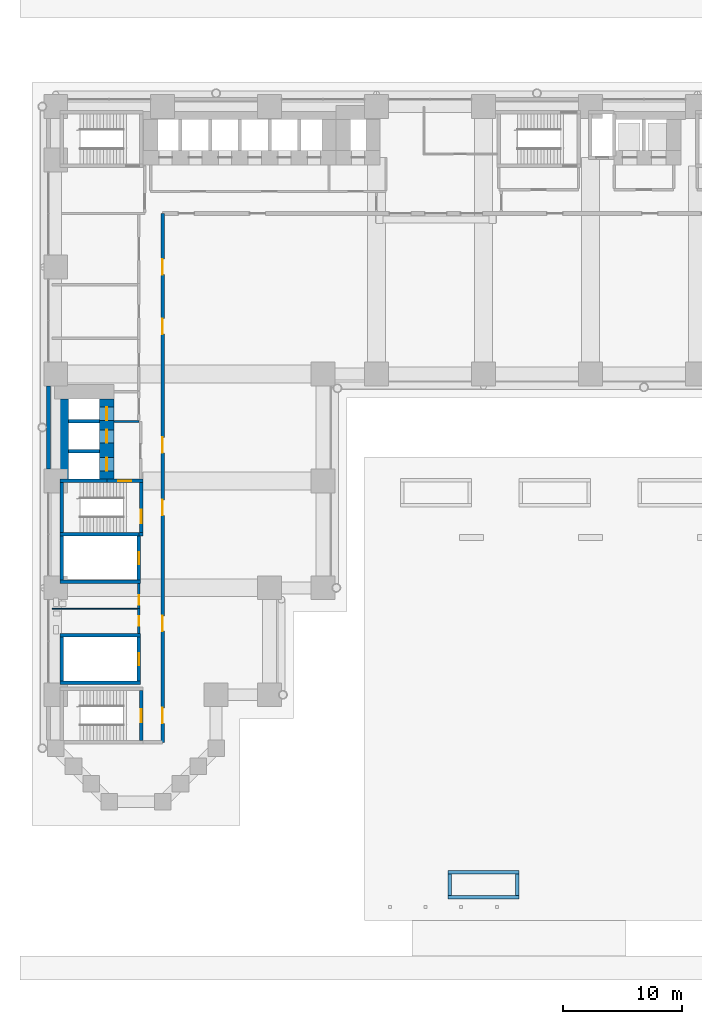
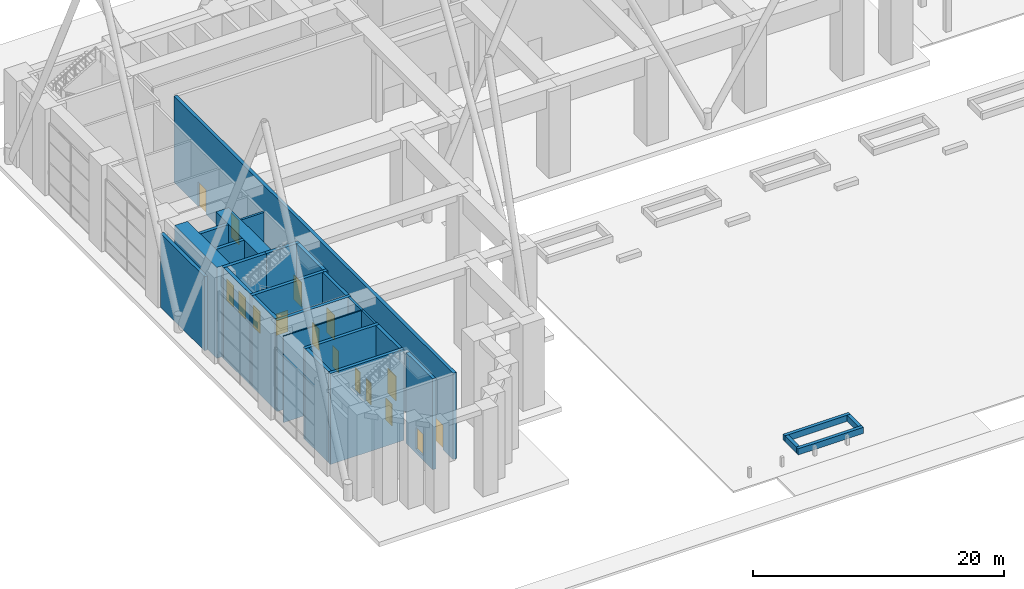
# One storey, part 27 of 44: 28 walls, 16 doors, 16 openings.
"""IFC4 building model written with IfcOpenShell, lengths in metres."""

from ifc_helpers import new_model, si_unit, direction, frame, frame_2d, origin, place, context, subcontext, project, spatial, rectangle, extrude, material, layer, layer_set, type_object, element, fill, save


model = new_model("IFC4")

# Units and contexts
model_context = context("Model", 3, precision=1e-05, world=origin(), true_north=direction((0.0, 1.0)))
body_context = subcontext(model_context, "Body", "Model", "MODEL_VIEW")
ifc_project = project(units=[si_unit("LENGTHUNIT", "METRE"), si_unit("AREAUNIT", "SQUARE_METRE"), si_unit("VOLUMEUNIT", "CUBIC_METRE"), si_unit("PLANEANGLEUNIT", "RADIAN"), si_unit("MASSUNIT", "GRAM", prefix="KILO")], contexts=[model_context])

# Site, building, storey
site_placement = place(None, origin())
site = spatial("IfcSite", under=ifc_project, at=site_placement, CompositionType="ELEMENT")
building_placement = place(site_placement, origin())
building = spatial("IfcBuilding", under=site, at=building_placement, Name="Firuza Court", CompositionType="ELEMENT")
storey_placement = place(building_placement, origin())
storey = spatial("IfcBuildingStorey", under=building, at=storey_placement, Name="L00", CompositionType="ELEMENT", Elevation=0.0)

# Walls
ifc_material_1 = material(Name="Moisture-resistant gypsum board partition")
ifc_layer_1 = layer(ifc_material_1, 0.10009765625)
ifc_layer_set_1 = layer_set([ifc_layer_1], Name="Moisture-resistant gypsum board partition")
wall_type_1 = type_object("IfcWallType", Name="Bathroom partition 100", PredefinedType="PLUMBINGWALL", material=ifc_layer_set_1)
wall_1_placement = place(storey_placement, frame((-0.300048828125, 16.25, 0.0), z_axis=(0.0, 0.0, 1.0), x_axis=(1.0, 0.0, 0.0)))
element("IfcWall", 1, at=wall_1_placement, inside=storey, type_object=wall_type_1, Name="Bathroom partition 100 L00", PredefinedType="PLUMBINGWALL", context=body_context, shape_type="SweptSolid", body=[
    extrude(rectangle(XDim=7.199951171875, YDim=0.10009765625, at=frame_2d((3.60009765625, 0.0))), origin(), (0.0, 0.0, 1.0), 8.39990234375),
])
ifc_material_2 = material(Name="Concrete C60/75", Category="concrete")
ifc_layer_2 = layer(ifc_material_2, 1.199951171875)
ifc_layer_set_2 = layer_set([ifc_layer_2], Name="Concrete C60/75")
wall_type_2 = type_object("IfcWallType", Name="Core wall 1200 C60/75", PredefinedType="SHEAR", material=ifc_layer_set_2)
wall_2_placement = place(storey_placement, frame((0.5, 27.14990234375, -0.449951171875), z_axis=(0.0, 0.0, 1.0), x_axis=(0.0, 1.0, 0.0)))
element("IfcWall", 2, at=wall_2_placement, inside=storey, type_object=wall_type_2, Name="Core wall lift shaft L00", PredefinedType="SHEAR", context=body_context, shape_type="SweptSolid", body=[
    extrude(rectangle(XDim=6.75, YDim=1.199951171875, at=frame_2d((3.375, 0.0))), origin(), (0.0, 0.0, 1.0), 8.849853515625),
])

# Wall, openings, doors
wall_3_placement = place(storey_placement, frame((4.300048828125, 27.14990234375, -0.449951171875), z_axis=(0.0, 0.0, 1.0), x_axis=(0.0, 1.0, 0.0)))
wall_3 = element("IfcWall", 3, at=wall_3_placement, inside=storey, type_object=wall_type_2, Name="Core wall lift shaft L00", PredefinedType="SHEAR", context=body_context, shape_type="SweptSolid", body=[
    extrude(rectangle(XDim=6.75, YDim=1.199951171875, at=frame_2d((3.375, 0.0))), origin(), (0.0, 0.0, 1.0), 8.849853515625),
])
opening_1_placement = place(wall_3_placement, frame((3.050048828125, 0.0, 0.449951171875)))
opening_1 = element("IfcOpeningElement", 4, at=opening_1_placement, cuts=wall_3, Name="Opening LD-FL1-00", PredefinedType="OPENING", context=body_context, shape_type="SweptSolid", body=[
    extrude(rectangle(XDim=1.10009765625, YDim=2.10009765625, at=frame_2d((0.550048828125, 1.050048828125))), frame((0.0, 0.61181640625, 0.0), z_axis=(0.0, -1.0, 0.0), x_axis=(1.0, 0.0, 0.0)), (0.0, 0.0, 1.0), 1.223876953125),
])
opening_2_placement = place(wall_3_placement, frame((0.699951171875, 0.0, 0.449951171875)))
opening_2 = element("IfcOpeningElement", 5, at=opening_2_placement, cuts=wall_3, Name="Opening LD-FL2-00", PredefinedType="OPENING", context=body_context, shape_type="SweptSolid", body=[
    extrude(rectangle(XDim=1.10009765625, YDim=2.10009765625, at=frame_2d((0.550048828125, 1.050048828125))), frame((0.0, 0.61181640625, 0.0), z_axis=(0.0, -1.0, 0.0), x_axis=(1.0, 0.0, 0.0)), (0.0, 0.0, 1.0), 1.223876953125),
])
opening_3_placement = place(wall_3_placement, frame((4.949951171875, 0.0, 0.449951171875)))
opening_3 = element("IfcOpeningElement", 6, at=opening_3_placement, cuts=wall_3, Name="Opening LD-SL1-00", PredefinedType="OPENING", context=body_context, shape_type="SweptSolid", body=[
    extrude(rectangle(XDim=1.10009765625, YDim=2.10009765625, at=frame_2d((0.550048828125, 1.050048828125))), frame((0.0, 0.61181640625, 0.0), z_axis=(0.0, -1.0, 0.0), x_axis=(1.0, 0.0, 0.0)), (0.0, 0.0, 1.0), 1.223876953125),
])
ifc_material_3 = material(Name="Stainless steel 1.4301 door leaf", Category="steel")
door_type_1 = type_object("IfcDoorType", Name="Lift landing door 1100", OperationType="SLIDING_TO_LEFT", PredefinedType="DOOR", material=ifc_material_3)
door_1_placement = place(opening_1_placement, origin())
door_1 = element("IfcDoor", 7, at=door_1_placement, inside=storey, type_object=door_type_1, Name="Landing door FL1", OperationType="SLIDING_TO_LEFT", OverallHeight=2.10009765625, OverallWidth=1.10009765625, PredefinedType="DOOR", context=body_context, shape_type="SweptSolid", body=[
    extrude(rectangle(XDim=1.10009765625, YDim=2.10009765625, at=frame_2d((0.550048828125, 1.050048828125))), frame((0.0, 0.02490234375, 0.0), z_axis=(0.0, -1.0, 0.0), x_axis=(1.0, 0.0, 0.0)), (0.0, 0.0, 1.0), 0.050048828125),
])
fill(opening_1, door_1)
door_2_placement = place(opening_2_placement, origin())
door_2 = element("IfcDoor", 8, at=door_2_placement, inside=storey, type_object=door_type_1, Name="Landing door FL2", OperationType="SLIDING_TO_LEFT", OverallHeight=2.10009765625, OverallWidth=1.10009765625, PredefinedType="DOOR", context=body_context, shape_type="SweptSolid", body=[
    extrude(rectangle(XDim=1.10009765625, YDim=2.10009765625, at=frame_2d((0.550048828125, 1.050048828125))), frame((0.0, 0.02490234375, 0.0), z_axis=(0.0, -1.0, 0.0), x_axis=(1.0, 0.0, 0.0)), (0.0, 0.0, 1.0), 0.050048828125),
])
fill(opening_2, door_2)
door_3_placement = place(opening_3_placement, origin())
door_3 = element("IfcDoor", 9, at=door_3_placement, inside=storey, type_object=door_type_1, Name="Landing door SL1", OperationType="SLIDING_TO_LEFT", OverallHeight=2.10009765625, OverallWidth=1.10009765625, PredefinedType="DOOR", context=body_context, shape_type="SweptSolid", body=[
    extrude(rectangle(XDim=1.10009765625, YDim=2.10009765625, at=frame_2d((0.550048828125, 1.050048828125))), frame((0.0, 0.02490234375, 0.0), z_axis=(0.0, -1.0, 0.0), x_axis=(1.0, 0.0, 0.0)), (0.0, 0.0, 1.0), 0.050048828125),
])
fill(opening_3, door_3)

# Walls
ifc_layer_3 = layer(ifc_material_2, 0.300048828125)
ifc_layer_set_3 = layer_set([ifc_layer_3], Name="Concrete C60/75")
wall_type_3 = type_object("IfcWallType", Name="Core wall 300 C60/75", PredefinedType="SHEAR", material=ifc_layer_set_3)
for number, where, z_axis, x_axis, name in (
    (10, (0.35009765625, 10.0, -0.449951171875), (0.0, 0.0, 1.0), (1.0, 0.0, 0.0), "Core wall riser L00"),
    (11, (0.35009765625, 14.0, -0.449951171875), (0.0, 0.0, 1.0), (1.0, 0.0, 0.0), "Core wall riser L00"),
    (12, (0.35009765625, 18.5, -0.449951171875), (0.0, 0.0, 1.0), (1.0, 0.0, 0.0), "Core wall riser L00"),
):
    element("IfcWall", number, at=place(storey_placement, frame(where, z_axis=z_axis, x_axis=x_axis)), inside=storey, type_object=wall_type_3, Name=name, PredefinedType="SHEAR", context=body_context, shape_type="SweptSolid", body=[
        extrude(rectangle(XDim=6.7998046875, YDim=0.300048828125, at=frame_2d((3.39990234375, 0.0))), origin(), (0.0, 0.0, 1.0), 8.849853515625),
    ])
wall_4_placement = place(storey_placement, frame((0.35009765625, 22.5, -0.449951171875), z_axis=(0.0, 0.0, 1.0), x_axis=(1.0, 0.0, 0.0)))
element("IfcWall", 13, at=wall_4_placement, inside=storey, type_object=wall_type_3, Name="Core wall riser L00", PredefinedType="SHEAR", context=body_context, shape_type="SweptSolid", body=[
    extrude(rectangle(XDim=6.64990234375, YDim=0.300048828125, at=frame_2d((3.324951171875, 0.0))), origin(), (0.0, 0.0, 1.0), 8.849853515625),
])
wall_5_placement = place(storey_placement, frame((0.35009765625, 27.0, -0.449951171875), z_axis=(0.0, 0.0, 1.0), x_axis=(1.0, 0.0, 0.0)))
element("IfcWall", 14, at=wall_5_placement, inside=storey, type_object=wall_type_3, Name="Core wall lift shaft L00", PredefinedType="SHEAR", context=body_context, shape_type="SweptSolid", body=[
    extrude(rectangle(XDim=3.949951171875, YDim=0.300048828125, at=frame_2d((1.97509765625, 0.0))), origin(), (0.0, 0.0, 1.0), 8.849853515625),
])
for number, where, z_axis, x_axis, name in (
    (15, (0.5, 10.14990234375, -0.449951171875), (0.0, 0.0, 1.0), (0.0, 1.0, 0.0), "Core wall riser L00"),
    (16, (0.5, 18.64990234375, -0.449951171875), (0.0, 0.0, 1.0), (0.0, 1.0, 0.0), "Core wall riser L00"),
):
    element("IfcWall", number, at=place(storey_placement, frame(where, z_axis=z_axis, x_axis=x_axis)), inside=storey, type_object=wall_type_3, Name=name, PredefinedType="SHEAR", context=body_context, shape_type="SweptSolid", body=[
        extrude(rectangle(XDim=3.7001953125, YDim=0.300048828125, at=frame_2d((1.85009765625, 0.0))), origin(), (0.0, 0.0, 1.0), 8.849853515625),
    ])
wall_6_placement = place(storey_placement, frame((0.5, 22.64990234375, -0.449951171875), z_axis=(0.0, 0.0, 1.0), x_axis=(0.0, 1.0, 0.0)))
element("IfcWall", 17, at=wall_6_placement, inside=storey, type_object=wall_type_3, Name="Core wall stair L00", PredefinedType="SHEAR", context=body_context, shape_type="SweptSolid", body=[
    extrude(rectangle(XDim=4.2001953125, YDim=0.300048828125, at=frame_2d((2.10009765625, 0.0))), origin(), (0.0, 0.0, 1.0), 8.849853515625),
])
for number, where, z_axis, x_axis, name in (
    (18, (1.10009765625, 29.5, -0.449951171875), (0.0, 0.0, 1.0), (1.0, 0.0, 0.0), "Core wall lift shaft L00"),
    (19, (1.10009765625, 32.0, -0.449951171875), (0.0, 0.0, 1.0), (1.0, 0.0, 0.0), "Core wall lift shaft L00"),
):
    element("IfcWall", number, at=place(storey_placement, frame(where, z_axis=z_axis, x_axis=x_axis)), inside=storey, type_object=wall_type_3, Name=name, PredefinedType="SHEAR", context=body_context, shape_type="SweptSolid", body=[
        extrude(rectangle(XDim=2.599853515625, YDim=0.300048828125, at=frame_2d((1.2998046875, 0.0))), origin(), (0.0, 0.0, 1.0), 8.849853515625),
    ])

# Wall, opening, door
wall_7_placement = place(storey_placement, frame((4.300048828125, 27.0, -0.449951171875), z_axis=(0.0, 0.0, 1.0), x_axis=(1.0, 0.0, 0.0)))
wall_7 = element("IfcWall", 20, at=wall_7_placement, inside=storey, type_object=wall_type_3, Name="Core wall stair L00", PredefinedType="SHEAR", context=body_context, shape_type="SweptSolid", body=[
    extrude(rectangle(XDim=3.050048828125, YDim=0.300048828125, at=frame_2d((1.52490234375, 0.0))), origin(), (0.0, 0.0, 1.0), 8.849853515625),
])
opening_4_placement = place(wall_7_placement, frame((0.949951171875, 0.0, 0.449951171875)))
opening_4 = element("IfcOpeningElement", 21, at=opening_4_placement, cuts=wall_7, Name="Opening D00014", PredefinedType="OPENING", context=body_context, shape_type="SweptSolid", body=[
    extrude(rectangle(XDim=1.10009765625, YDim=2.10009765625, at=frame_2d((0.550048828125, 1.050048828125))), frame((0.0, 0.162109375, 0.0), z_axis=(0.0, -1.0, 0.0), x_axis=(1.0, 0.0, 0.0)), (0.0, 0.0, 1.0), 0.323974609375),
])
ifc_material_4 = material(Name="Timber door leaf in hardwood frame", Category="wood")
door_type_2 = type_object("IfcDoorType", Name="Stair door 1100", OperationType="SINGLE_SWING_LEFT", PredefinedType="DOOR", material=ifc_material_4)
door_4_placement = place(opening_4_placement, origin())
door_4 = element("IfcDoor", 22, at=door_4_placement, inside=storey, type_object=door_type_2, Name="Fire-fighting lobby door", OperationType="SINGLE_SWING_LEFT", OverallHeight=2.10009765625, OverallWidth=1.10009765625, PredefinedType="DOOR", context=body_context, shape_type="SweptSolid", body=[
    extrude(rectangle(XDim=1.10009765625, YDim=2.10009765625, at=frame_2d((0.550048828125, 1.050048828125))), frame((0.0, 0.02490234375, 0.0), z_axis=(0.0, -1.0, 0.0), x_axis=(1.0, 0.0, 0.0)), (0.0, 0.0, 1.0), 0.050048828125),
])
fill(opening_4, door_4)

wall_8_placement = place(storey_placement, frame((7.0, 10.14990234375, -0.449951171875), z_axis=(0.0, 0.0, 1.0), x_axis=(0.0, 1.0, 0.0)))
wall_8 = element("IfcWall", 23, at=wall_8_placement, inside=storey, type_object=wall_type_3, Name="Core wall riser L00", PredefinedType="SHEAR", context=body_context, shape_type="SweptSolid", body=[
    extrude(rectangle(XDim=3.7001953125, YDim=0.300048828125, at=frame_2d((1.85009765625, 0.0))), origin(), (0.0, 0.0, 1.0), 8.849853515625),
])
opening_5_placement = place(wall_8_placement, frame((1.35009765625, 0.0, 0.449951171875)))
opening_5 = element("IfcOpeningElement", 24, at=opening_5_placement, cuts=wall_8, Name="Opening D00012", PredefinedType="OPENING", context=body_context, shape_type="SweptSolid", body=[
    extrude(rectangle(XDim=1.0, YDim=2.10009765625, at=frame_2d((0.5, 1.050048828125))), frame((0.0, 0.162109375, 0.0), z_axis=(0.0, -1.0, 0.0), x_axis=(1.0, 0.0, 0.0)), (0.0, 0.0, 1.0), 0.323974609375),
])
ifc_material_5 = material(Name="Timber door leaf in hardwood frame", Category="wood")
door_type_3 = type_object("IfcDoorType", Name="Riser door 1000", OperationType="SINGLE_SWING_LEFT", PredefinedType="DOOR", material=ifc_material_5)
door_5_placement = place(opening_5_placement, origin())
door_5 = element("IfcDoor", 25, at=door_5_placement, inside=storey, type_object=door_type_3, Name="Riser door R4", OperationType="SINGLE_SWING_LEFT", OverallHeight=2.10009765625, OverallWidth=1.0, PredefinedType="DOOR", context=body_context, shape_type="SweptSolid", body=[
    extrude(rectangle(XDim=1.0, YDim=2.10009765625, at=frame_2d((0.5, 1.050048828125))), frame((0.0, 0.02490234375, 0.0), z_axis=(0.0, -1.0, 0.0), x_axis=(1.0, 0.0, 0.0)), (0.0, 0.0, 1.0), 0.050048828125),
])
fill(opening_5, door_5)

wall_9_placement = place(storey_placement, frame((7.0, 18.64990234375, -0.449951171875), z_axis=(0.0, 0.0, 1.0), x_axis=(0.0, 1.0, 0.0)))
wall_9 = element("IfcWall", 26, at=wall_9_placement, inside=storey, type_object=wall_type_3, Name="Core wall riser L00", PredefinedType="SHEAR", context=body_context, shape_type="SweptSolid", body=[
    extrude(rectangle(XDim=3.7001953125, YDim=0.300048828125, at=frame_2d((1.85009765625, 0.0))), origin(), (0.0, 0.0, 1.0), 8.849853515625),
])
opening_6_placement = place(wall_9_placement, frame((1.35009765625, 0.0, 0.449951171875)))
opening_6 = element("IfcOpeningElement", 27, at=opening_6_placement, cuts=wall_9, Name="Opening D00010", PredefinedType="OPENING", context=body_context, shape_type="SweptSolid", body=[
    extrude(rectangle(XDim=1.0, YDim=2.10009765625, at=frame_2d((0.5, 1.050048828125))), frame((0.0, 0.162109375, 0.0), z_axis=(0.0, -1.0, 0.0), x_axis=(1.0, 0.0, 0.0)), (0.0, 0.0, 1.0), 0.323974609375),
])
door_6_placement = place(opening_6_placement, origin())
door_6 = element("IfcDoor", 28, at=door_6_placement, inside=storey, type_object=door_type_3, Name="Riser door R1", OperationType="SINGLE_SWING_LEFT", OverallHeight=2.10009765625, OverallWidth=1.0, PredefinedType="DOOR", context=body_context, shape_type="SweptSolid", body=[
    extrude(rectangle(XDim=1.0, YDim=2.10009765625, at=frame_2d((0.5, 1.050048828125))), frame((0.0, 0.02490234375, 0.0), z_axis=(0.0, -1.0, 0.0), x_axis=(1.0, 0.0, 0.0)), (0.0, 0.0, 1.0), 0.050048828125),
])
fill(opening_6, door_6)

# Wall
wall_10_placement = place(storey_placement, frame((7.0, 22.5, -0.449951171875), z_axis=(0.0, 0.0, 1.0), x_axis=(1.0, 0.0, 0.0)))
element("IfcWall", 29, at=wall_10_placement, inside=storey, type_object=wall_type_3, Name="Core wall stair L00", PredefinedType="SHEAR", context=body_context, shape_type="SweptSolid", body=[
    extrude(rectangle(XDim=0.35009765625, YDim=0.300048828125, at=frame_2d((0.175048828125, 0.0))), origin(), (0.0, 0.0, 1.0), 8.849853515625),
])

# Wall, opening, door
wall_11_placement = place(storey_placement, frame((7.199951171875, 5.14990234375, -0.449951171875), z_axis=(0.0, 0.0, 1.0), x_axis=(0.0, 1.0, 0.0)))
wall_11 = element("IfcWall", 30, at=wall_11_placement, inside=storey, type_object=wall_type_3, Name="Core wall stair L00", PredefinedType="SHEAR", context=body_context, shape_type="SweptSolid", body=[
    extrude(rectangle(XDim=4.2001953125, YDim=0.300048828125, at=frame_2d((2.10009765625, 0.0))), origin(), (0.0, 0.0, 1.0), 8.849853515625),
])
opening_7_placement = place(wall_11_placement, frame((1.550048828125, 0.0, 0.449951171875)))
opening_7 = element("IfcOpeningElement", 31, at=opening_7_placement, cuts=wall_11, Name="Opening D00018", PredefinedType="OPENING", context=body_context, shape_type="SweptSolid", body=[
    extrude(rectangle(XDim=1.10009765625, YDim=2.10009765625, at=frame_2d((0.550048828125, 1.050048828125))), frame((0.0, 0.162109375, 0.0), z_axis=(0.0, -1.0, 0.0), x_axis=(1.0, 0.0, 0.0)), (0.0, 0.0, 1.0), 0.323974609375),
])
door_7_placement = place(opening_7_placement, frame((1.10009765625, 0.0, 0.0), z_axis=(0.0, 0.0, 1.0), x_axis=(-1.0, 0.0, 0.0)))
door_7 = element("IfcDoor", 32, at=door_7_placement, inside=storey, type_object=door_type_2, Name="Stair door S5", OperationType="SINGLE_SWING_RIGHT", OverallHeight=2.10009765625, OverallWidth=1.10009765625, PredefinedType="DOOR", context=body_context, shape_type="SweptSolid", body=[
    extrude(rectangle(XDim=1.10009765625, YDim=2.10009765625, at=frame_2d((0.550048828125, 1.050048828125))), frame((0.0, 0.02490234375, 0.0), z_axis=(0.0, -1.0, 0.0), x_axis=(1.0, 0.0, 0.0)), (0.0, 0.0, 1.0), 0.050048828125),
])
fill(opening_7, door_7)

wall_12_placement = place(storey_placement, frame((7.199951171875, 22.64990234375, -0.449951171875), z_axis=(0.0, 0.0, 1.0), x_axis=(0.0, 1.0, 0.0)))
wall_12 = element("IfcWall", 33, at=wall_12_placement, inside=storey, type_object=wall_type_3, Name="Core wall stair L00", PredefinedType="SHEAR", context=body_context, shape_type="SweptSolid", body=[
    extrude(rectangle(XDim=4.2001953125, YDim=0.300048828125, at=frame_2d((2.10009765625, 0.0))), origin(), (0.0, 0.0, 1.0), 8.849853515625),
])
opening_8_placement = place(wall_12_placement, frame((0.800048828125, 0.0, 0.449951171875)))
opening_8 = element("IfcOpeningElement", 34, at=opening_8_placement, cuts=wall_12, Name="Opening D00015", PredefinedType="OPENING", context=body_context, shape_type="SweptSolid", body=[
    extrude(rectangle(XDim=1.10009765625, YDim=2.10009765625, at=frame_2d((0.550048828125, 1.050048828125))), frame((0.0, 0.162109375, 0.0), z_axis=(0.0, -1.0, 0.0), x_axis=(1.0, 0.0, 0.0)), (0.0, 0.0, 1.0), 0.323974609375),
])
door_8_placement = place(opening_8_placement, frame((1.10009765625, 0.0, 0.0), z_axis=(0.0, 0.0, 1.0), x_axis=(-1.0, 0.0, 0.0)))
door_8 = element("IfcDoor", 35, at=door_8_placement, inside=storey, type_object=door_type_2, Name="Stair door S2", OperationType="SINGLE_SWING_RIGHT", OverallHeight=2.10009765625, OverallWidth=1.10009765625, PredefinedType="DOOR", context=body_context, shape_type="SweptSolid", body=[
    extrude(rectangle(XDim=1.10009765625, YDim=2.10009765625, at=frame_2d((0.550048828125, 1.050048828125))), frame((0.0, 0.02490234375, 0.0), z_axis=(0.0, -1.0, 0.0), x_axis=(1.0, 0.0, 0.0)), (0.0, 0.0, 1.0), 0.050048828125),
])
fill(opening_8, door_8)

ifc_material_6 = material(Name="Blockwork, plastered both sides", Category="masonry")
ifc_layer_4 = layer(ifc_material_6, 0.199951171875)
ifc_layer_set_4 = layer_set([ifc_layer_4], Name="Blockwork, plastered both sides")
wall_type_4 = type_object("IfcWallType", Name="Corridor wall 200", PredefinedType="PARTITIONING", material=ifc_layer_set_4)
wall_13_placement = place(storey_placement, frame((7.0, 16.25, 0.0), z_axis=(0.0, 0.0, 1.0), x_axis=(0.0, -1.0, 0.0)))
wall_13 = element("IfcWall", 36, at=wall_13_placement, inside=storey, type_object=wall_type_4, Name="Corridor wall 200 L00", PredefinedType="PARTITIONING", context=body_context, shape_type="SweptSolid", body=[
    extrude(rectangle(XDim=2.10009765625, YDim=0.199951171875, at=frame_2d((1.050048828125, 0.0))), origin(), (0.0, 0.0, 1.0), 8.39990234375),
])
opening_9_placement = place(wall_13_placement, frame((0.625, 0.0, 0.0)))
opening_9 = element("IfcOpeningElement", 37, at=opening_9_placement, cuts=wall_13, Name="Opening D00021", PredefinedType="OPENING", context=body_context, shape_type="SweptSolid", body=[
    extrude(rectangle(XDim=0.800048828125, YDim=2.10009765625, at=frame_2d((0.39990234375, 1.050048828125))), frame((0.0, 0.11181640625, 0.0), z_axis=(0.0, -1.0, 0.0), x_axis=(1.0, 0.0, 0.0)), (0.0, 0.0, 1.0), 0.223876953125),
])
ifc_material_7 = material(Name="Timber door leaf in hardwood frame", Category="wood")
door_type_4 = type_object("IfcDoorType", Name="Room door 800 EI 30", OperationType="SINGLE_SWING_LEFT", PredefinedType="DOOR", material=ifc_material_7)
door_9_placement = place(opening_9_placement, frame((0.800048828125, 0.0, 0.0), z_axis=(0.0, 0.0, 1.0), x_axis=(-1.0, 0.0, 0.0)))
door_9 = element("IfcDoor", 38, at=door_9_placement, inside=storey, type_object=door_type_4, Name="Room door", OperationType="SINGLE_SWING_RIGHT", OverallHeight=2.10009765625, OverallWidth=0.800048828125, PredefinedType="DOOR", context=body_context, shape_type="SweptSolid", body=[
    extrude(rectangle(XDim=0.800048828125, YDim=2.10009765625, at=frame_2d((0.39990234375, 1.050048828125))), frame((0.0, 0.02490234375, 0.0), z_axis=(0.0, -1.0, 0.0), x_axis=(1.0, 0.0, 0.0)), (0.0, 0.0, 1.0), 0.050048828125),
])
fill(opening_9, door_9)

wall_14_placement = place(storey_placement, frame((7.0, 18.35009765625, 0.0), z_axis=(0.0, 0.0, 1.0), x_axis=(0.0, -1.0, 0.0)))
wall_14 = element("IfcWall", 39, at=wall_14_placement, inside=storey, type_object=wall_type_4, Name="Corridor wall 200 L00", PredefinedType="PARTITIONING", context=body_context, shape_type="SweptSolid", body=[
    extrude(rectangle(XDim=2.10009765625, YDim=0.199951171875, at=frame_2d((1.050048828125, 0.0))), origin(), (0.0, 0.0, 1.0), 8.39990234375),
])
opening_10_placement = place(wall_14_placement, frame((0.97509765625, 0.0, 0.0)))
opening_10 = element("IfcOpeningElement", 40, at=opening_10_placement, cuts=wall_14, Name="Opening D00022", PredefinedType="OPENING", context=body_context, shape_type="SweptSolid", body=[
    extrude(rectangle(XDim=0.800048828125, YDim=2.10009765625, at=frame_2d((0.39990234375, 1.050048828125))), frame((0.0, 0.11181640625, 0.0), z_axis=(0.0, -1.0, 0.0), x_axis=(1.0, 0.0, 0.0)), (0.0, 0.0, 1.0), 0.223876953125),
])
door_10_placement = place(opening_10_placement, frame((0.800048828125, 0.0, 0.0), z_axis=(0.0, 0.0, 1.0), x_axis=(-1.0, 0.0, 0.0)))
door_10 = element("IfcDoor", 41, at=door_10_placement, inside=storey, type_object=door_type_4, Name="Room door", OperationType="SINGLE_SWING_LEFT", OverallHeight=2.10009765625, OverallWidth=0.800048828125, PredefinedType="DOOR", context=body_context, shape_type="SweptSolid", body=[
    extrude(rectangle(XDim=0.800048828125, YDim=2.10009765625, at=frame_2d((0.39990234375, 1.050048828125))), frame((0.0, 0.02490234375, 0.0), z_axis=(0.0, -1.0, 0.0), x_axis=(1.0, 0.0, 0.0)), (0.0, 0.0, 1.0), 0.050048828125),
])
fill(opening_10, door_10)

# Wall, openings, doors
ifc_material_8 = material(Name="Concrete C40/50 precast", Category="concrete")
ifc_layer_5 = layer(ifc_material_8, 0.300048828125)
ifc_layer_set_5 = layer_set([ifc_layer_5], Name="Concrete C40/50 precast")
wall_type_5 = type_object("IfcWallType", Name="Ground floor enclosure wall 300", PredefinedType="SOLIDWALL", material=ifc_layer_set_5)
wall_15_placement = place(storey_placement, frame((9.0, 5.0, 0.0), z_axis=(0.0, 0.0, 1.0), x_axis=(0.0, 1.0, 0.0)))
wall_15 = element("IfcWall", 42, at=wall_15_placement, inside=storey, type_object=wall_type_5, Name="Ground floor enclosure wall 300 L00", PredefinedType="SOLIDWALL", context=body_context, shape_type="SweptSolid", body=[
    extrude(rectangle(XDim=44.5, YDim=0.300048828125, at=frame_2d((22.25, 0.0))), origin(), (0.0, 0.0, 1.0), 8.39990234375),
])
opening_11_placement = place(wall_15_placement, frame((24.35009765625, 0.0, 0.0)))
opening_11 = element("IfcOpeningElement", 43, at=opening_11_placement, cuts=wall_15, Name="Opening D00040", PredefinedType="OPENING", context=body_context, shape_type="SweptSolid", body=[
    extrude(rectangle(XDim=1.300048828125, YDim=2.39990234375, at=frame_2d((0.64990234375, 1.199951171875))), frame((0.0, 0.162109375, 0.0), z_axis=(0.0, -1.0, 0.0), x_axis=(1.0, 0.0, 0.0)), (0.0, 0.0, 1.0), 0.323974609375),
])
opening_12_placement = place(wall_15_placement, frame((19.10009765625, 0.0, 0.0)))
opening_12 = element("IfcOpeningElement", 44, at=opening_12_placement, cuts=wall_15, Name="Opening D00041", PredefinedType="OPENING", context=body_context, shape_type="SweptSolid", body=[
    extrude(rectangle(XDim=1.300048828125, YDim=2.39990234375, at=frame_2d((0.64990234375, 1.199951171875))), frame((0.0, 0.162109375, 0.0), z_axis=(0.0, -1.0, 0.0), x_axis=(1.0, 0.0, 0.0)), (0.0, 0.0, 1.0), 0.323974609375),
])
opening_13_placement = place(wall_15_placement, frame((1.60009765625, 0.0, 0.0)))
opening_13 = element("IfcOpeningElement", 45, at=opening_13_placement, cuts=wall_15, Name="Opening D00042", PredefinedType="OPENING", context=body_context, shape_type="SweptSolid", body=[
    extrude(rectangle(XDim=1.300048828125, YDim=2.39990234375, at=frame_2d((0.64990234375, 1.199951171875))), frame((0.0, 0.162109375, 0.0), z_axis=(0.0, -1.0, 0.0), x_axis=(1.0, 0.0, 0.0)), (0.0, 0.0, 1.0), 0.323974609375),
])
opening_14_placement = place(wall_15_placement, frame((34.35009765625, 0.0, 0.0)))
opening_14 = element("IfcOpeningElement", 46, at=opening_14_placement, cuts=wall_15, Name="Opening D00043", PredefinedType="OPENING", context=body_context, shape_type="SweptSolid", body=[
    extrude(rectangle(XDim=1.300048828125, YDim=2.39990234375, at=frame_2d((0.64990234375, 1.199951171875))), frame((0.0, 0.162109375, 0.0), z_axis=(0.0, -1.0, 0.0), x_axis=(1.0, 0.0, 0.0)), (0.0, 0.0, 1.0), 0.323974609375),
])
opening_15_placement = place(wall_15_placement, frame((9.35009765625, 0.0, 0.0)))
opening_15 = element("IfcOpeningElement", 47, at=opening_15_placement, cuts=wall_15, Name="Opening D00044", PredefinedType="OPENING", context=body_context, shape_type="SweptSolid", body=[
    extrude(rectangle(XDim=1.300048828125, YDim=2.39990234375, at=frame_2d((0.64990234375, 1.199951171875))), frame((0.0, 0.162109375, 0.0), z_axis=(0.0, -1.0, 0.0), x_axis=(1.0, 0.0, 0.0)), (0.0, 0.0, 1.0), 0.323974609375),
])
opening_16_placement = place(wall_15_placement, frame((39.35009765625, 0.0, 0.0)))
opening_16 = element("IfcOpeningElement", 48, at=opening_16_placement, cuts=wall_15, Name="Opening D00045", PredefinedType="OPENING", context=body_context, shape_type="SweptSolid", body=[
    extrude(rectangle(XDim=1.300048828125, YDim=2.39990234375, at=frame_2d((0.64990234375, 1.199951171875))), frame((0.0, 0.162109375, 0.0), z_axis=(0.0, -1.0, 0.0), x_axis=(1.0, 0.0, 0.0)), (0.0, 0.0, 1.0), 0.323974609375),
])
ifc_material_9 = material(Name="Timber door leaf in hardwood frame", Category="wood")
door_type_5 = type_object("IfcDoorType", Name="Exit door 1300", OperationType="SINGLE_SWING_LEFT", PredefinedType="DOOR", material=ifc_material_9)
door_11_placement = place(opening_11_placement, frame((1.300048828125, 0.0, 0.0), z_axis=(0.0, 0.0, 1.0), x_axis=(-1.0, 0.0, 0.0)))
door_11 = element("IfcDoor", 49, at=door_11_placement, inside=storey, type_object=door_type_5, Name="Fire service entrance door", OperationType="SINGLE_SWING_RIGHT", OverallHeight=2.39990234375, OverallWidth=1.300048828125, PredefinedType="DOOR", context=body_context, shape_type="SweptSolid", body=[
    extrude(rectangle(XDim=1.300048828125, YDim=2.39990234375, at=frame_2d((0.64990234375, 1.199951171875))), frame((0.0, 0.02490234375, 0.0), z_axis=(0.0, -1.0, 0.0), x_axis=(1.0, 0.0, 0.0)), (0.0, 0.0, 1.0), 0.050048828125),
])
fill(opening_11, door_11)
door_12_placement = place(opening_12_placement, frame((1.300048828125, 0.0, 0.0), z_axis=(0.0, 0.0, 1.0), x_axis=(-1.0, 0.0, 0.0)))
door_12 = element("IfcDoor", 50, at=door_12_placement, inside=storey, type_object=door_type_5, Name="Lift hall exit door south", OperationType="SINGLE_SWING_RIGHT", OverallHeight=2.39990234375, OverallWidth=1.300048828125, PredefinedType="DOOR", context=body_context, shape_type="SweptSolid", body=[
    extrude(rectangle(XDim=1.300048828125, YDim=2.39990234375, at=frame_2d((0.64990234375, 1.199951171875))), frame((0.0, 0.02490234375, 0.0), z_axis=(0.0, -1.0, 0.0), x_axis=(1.0, 0.0, 0.0)), (0.0, 0.0, 1.0), 0.050048828125),
])
fill(opening_12, door_12)
door_13_placement = place(opening_13_placement, frame((1.300048828125, 0.0, 0.0), z_axis=(0.0, 0.0, 1.0), x_axis=(-1.0, 0.0, 0.0)))
door_13 = element("IfcDoor", 51, at=door_13_placement, inside=storey, type_object=door_type_5, Name="Lift hall exit door tip", OperationType="SINGLE_SWING_RIGHT", OverallHeight=2.39990234375, OverallWidth=1.300048828125, PredefinedType="DOOR", context=body_context, shape_type="SweptSolid", body=[
    extrude(rectangle(XDim=1.300048828125, YDim=2.39990234375, at=frame_2d((0.64990234375, 1.199951171875))), frame((0.0, 0.02490234375, 0.0), z_axis=(0.0, -1.0, 0.0), x_axis=(1.0, 0.0, 0.0)), (0.0, 0.0, 1.0), 0.050048828125),
])
fill(opening_13, door_13)
door_14_placement = place(opening_14_placement, frame((1.300048828125, 0.0, 0.0), z_axis=(0.0, 0.0, 1.0), x_axis=(-1.0, 0.0, 0.0)))
door_14 = element("IfcDoor", 52, at=door_14_placement, inside=storey, type_object=door_type_5, Name="Service lift hall exit door", OperationType="SINGLE_SWING_RIGHT", OverallHeight=2.39990234375, OverallWidth=1.300048828125, PredefinedType="DOOR", context=body_context, shape_type="SweptSolid", body=[
    extrude(rectangle(XDim=1.300048828125, YDim=2.39990234375, at=frame_2d((0.64990234375, 1.199951171875))), frame((0.0, 0.02490234375, 0.0), z_axis=(0.0, -1.0, 0.0), x_axis=(1.0, 0.0, 0.0)), (0.0, 0.0, 1.0), 0.050048828125),
])
fill(opening_14, door_14)
door_15_placement = place(opening_15_placement, frame((1.300048828125, 0.0, 0.0), z_axis=(0.0, 0.0, 1.0), x_axis=(-1.0, 0.0, 0.0)))
door_15 = element("IfcDoor", 53, at=door_15_placement, inside=storey, type_object=door_type_5, Name="Lift hall exit door tip north", OperationType="SINGLE_SWING_RIGHT", OverallHeight=2.39990234375, OverallWidth=1.300048828125, PredefinedType="DOOR", context=body_context, shape_type="SweptSolid", body=[
    extrude(rectangle(XDim=1.300048828125, YDim=2.39990234375, at=frame_2d((0.64990234375, 1.199951171875))), frame((0.0, 0.02490234375, 0.0), z_axis=(0.0, -1.0, 0.0), x_axis=(1.0, 0.0, 0.0)), (0.0, 0.0, 1.0), 0.050048828125),
])
fill(opening_15, door_15)
door_16_placement = place(opening_16_placement, frame((1.300048828125, 0.0, 0.0), z_axis=(0.0, 0.0, 1.0), x_axis=(-1.0, 0.0, 0.0)))
door_16 = element("IfcDoor", 54, at=door_16_placement, inside=storey, type_object=door_type_5, Name="Lift hall exit door elbow", OperationType="SINGLE_SWING_RIGHT", OverallHeight=2.39990234375, OverallWidth=1.300048828125, PredefinedType="DOOR", context=body_context, shape_type="SweptSolid", body=[
    extrude(rectangle(XDim=1.300048828125, YDim=2.39990234375, at=frame_2d((0.64990234375, 1.199951171875))), frame((0.0, 0.02490234375, 0.0), z_axis=(0.0, -1.0, 0.0), x_axis=(1.0, 0.0, 0.0)), (0.0, 0.0, 1.0), 0.050048828125),
])
fill(opening_16, door_16)

# Walls
ifc_material_10 = material(Name="Concrete C30/37", Category="concrete")
ifc_layer_6 = layer(ifc_material_10, 0.300048828125)
ifc_layer_set_6 = layer_set([ifc_layer_6], Name="Concrete C30/37")
wall_type_6 = type_object("IfcWallType", Name="HALL PLANTER WALL 300", PredefinedType="STANDARD", material=ifc_layer_set_6)
for number, where, z_axis, x_axis, name in (
    (55, (33.0, -5.949951171875, 0.0), (0.0, 0.0, 1.0), (1.0, 0.0, 0.0), "PLANTER 7 north wall"),
    (56, (33.0, -8.050048828125, 0.0), (0.0, 0.0, 1.0), (1.0, 0.0, 0.0), "PLANTER 7 south wall"),
):
    element("IfcWall", number, at=place(storey_placement, frame(where, z_axis=z_axis, x_axis=x_axis)), inside=storey, type_object=wall_type_6, Name=name, ObjectType="PLANTER", PredefinedType="USERDEFINED", context=body_context, shape_type="SweptSolid", body=[
        extrude(rectangle(XDim=6.0, YDim=0.300048828125, at=frame_2d((3.0, 0.0))), origin(), (0.0, 0.0, 1.0), 0.60009765625),
    ])
for number, where, z_axis, x_axis, name in (
    (57, (38.85009765625, -7.89990234375, 0.0), (0.0, 0.0, 1.0), (0.0, 1.0, 0.0), "PLANTER 7 east wall"),
    (58, (33.14990234375, -7.89990234375, 0.0), (0.0, 0.0, 1.0), (0.0, 1.0, 0.0), "PLANTER 7 west wall"),
):
    element("IfcWall", number, at=place(storey_placement, frame(where, z_axis=z_axis, x_axis=x_axis)), inside=storey, type_object=wall_type_6, Name=name, ObjectType="PLANTER", PredefinedType="USERDEFINED", context=body_context, shape_type="SweptSolid", body=[
        extrude(rectangle(XDim=1.7998046875, YDim=0.300048828125, at=frame_2d((0.89990234375, 0.0))), origin(), (0.0, 0.0, 1.0), 0.60009765625),
    ])
ifc_material_11 = material(Name="Ceramic tile", Category="ceramic")
ifc_layer_7 = layer(ifc_material_11, 0.02001953125)
ifc_material_12 = material(Name="Mineral wool insulation", Category="insulation")
ifc_layer_8 = layer(ifc_material_12, 0.1298828125)
ifc_layer_9 = layer(ifc_material_8, 0.14990234375)
ifc_layer_set_7 = layer_set([ifc_layer_7, ifc_layer_8, ifc_layer_9], Name="Concrete C40/50 precast")
wall_type_7 = type_object("IfcWallType", Name="Precast spandrel wall with turquoise TILE PANEL face 300", PredefinedType="STANDARD", material=ifc_layer_set_7)
wall_16_placement = place(storey_placement, frame((-0.60009765625, 35.0, 0.0), z_axis=(0.0, 0.0, 1.0), x_axis=(0.0, -1.0, 0.0)))
element("IfcWall", 59, at=wall_16_placement, inside=storey, type_object=wall_type_7, Name="Facade wall L00 W", PredefinedType="STANDARD", context=body_context, shape_type="SweptSolid", body=[
    extrude(rectangle(XDim=7.0, YDim=0.300048828125, at=frame_2d((3.5, 0.0))), origin(), (0.0, 0.0, 1.0), 7.199951171875),
])
ifc_material_13 = material(Name="Blockwork, fire-rated", Category="masonry")
ifc_layer_10 = layer(ifc_material_13, 0.199951171875)
ifc_layer_set_8 = layer_set([ifc_layer_10], Name="Blockwork, fire-rated")
wall_type_8 = type_object("IfcWallType", Name="Shaft wall 200", PredefinedType="PARTITIONING", material=ifc_layer_set_8)
wall_17_placement = place(storey_placement, frame((4.919921875, 32.0, 0.0), z_axis=(0.0, 0.0, 1.0), x_axis=(1.0, 0.0, 0.0)))
element("IfcWall", 60, at=wall_17_placement, inside=storey, type_object=wall_type_8, Name="Shaft wall 200 L00", PredefinedType="PARTITIONING", context=body_context, shape_type="SweptSolid", body=[
    extrude(rectangle(XDim=2.080078125, YDim=0.199951171875, at=frame_2d((1.0400390625, 0.0))), origin(), (0.0, 0.0, 1.0), 8.39990234375),
])

save(model, "model.ifc")
